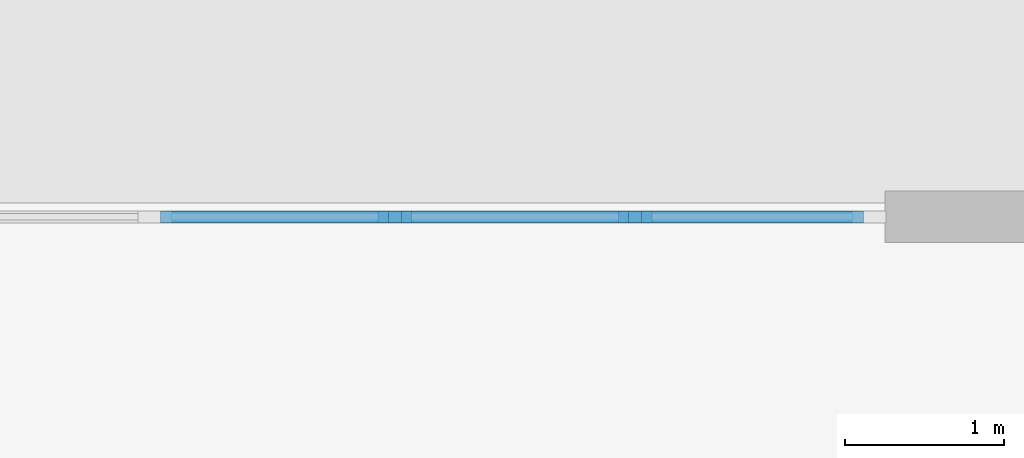
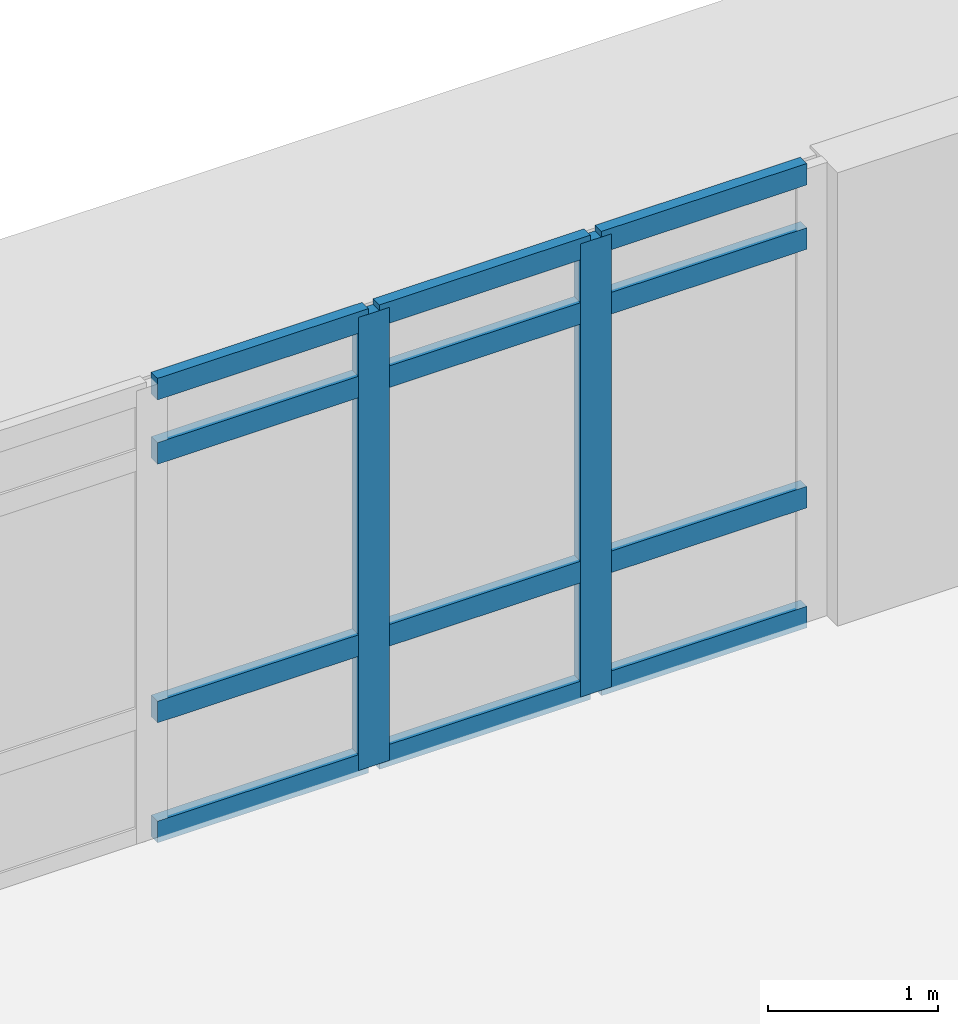
# One storey, part 14 of 55: 14 members, 1 element without a shape of its own.
"""IFC4 building model written with IfcOpenShell, lengths in metres."""

from ifc_helpers import new_model, si_unit, direction, frame, origin, origin_2d, place, context, subcontext, project, spatial, rectangle, extrude, material, layer, layer_set, material_profile, profile_set, type_object, element, aggregate, save


model = new_model("IFC4")

# Units and contexts
model_context = context("Model", 3, precision=1e-05, world=origin(), true_north=direction((0.0, 1.0)))
body_context = subcontext(model_context, "Body", "Model", "MODEL_VIEW")
ifc_project = project(units=[si_unit("LENGTHUNIT", "METRE"), si_unit("AREAUNIT", "SQUARE_METRE"), si_unit("VOLUMEUNIT", "CUBIC_METRE"), si_unit("PLANEANGLEUNIT", "RADIAN"), si_unit("MASSUNIT", "GRAM", prefix="KILO")], contexts=[model_context])

# Site, building, storey
site_placement = place(None, origin())
site = spatial("IfcSite", under=ifc_project, at=site_placement, CompositionType="ELEMENT")
building_placement = place(site_placement, origin())
building = spatial("IfcBuilding", under=site, at=building_placement, Name="Solenvale Faculty of Natural Sciences", CompositionType="ELEMENT")
storey_placement = place(building_placement, frame((0.0, 0.0, 22.5)))
storey = spatial("IfcBuildingStorey", under=building, at=storey_placement, Name="L05", CompositionType="ELEMENT", Elevation=22.5)

# Curtain wall, members
ifc_material = material(Name="Anodised bronze aluminium", Category="aluminium")
ifc_layer = layer(ifc_material, 0.18994140625)
ifc_layer_set = layer_set([ifc_layer], Name="Anodised bronze aluminium")
curtain_wall_type = type_object("IfcCurtainWallType", Name="CW-TRAY-REC", PredefinedType="USERDEFINED", material=ifc_layer_set)
curtain_wall_placement = place(storey_placement, origin())
curtain_wall = element("IfcCurtainWall", 1, at=curtain_wall_placement, inside=storey, type_object=curtain_wall_type, Name="L05 Curtain Wall CW-L05-P1-E2-B3", ObjectType="UNITISED CURTAIN WALL", PredefinedType="USERDEFINED")
ifc_material_profile_1 = material_profile(ifc_material, rectangle(XDim=0.074951171875, YDim=0.2099609375, at=origin_2d()), Name="ALU-MUL-75x210")
ifc_profile_set_1 = profile_set([ifc_material_profile_1], Name="Anodised bronze aluminium")
member_type_1 = type_object("IfcMemberType", Name="CWM-ALU-75x210", PredefinedType="MULLION", material=ifc_profile_set_1)
member_1_placement = place(storey_placement, frame((98.7099609375, 33.03759765625, 0.0), z_axis=(0.0, 0.0, 1.0), x_axis=(0.0, -1.0, 0.0)))
member_1 = element("IfcMember", 2, at=member_1_placement, type_object=member_type_1, Name="CW-02 mullion 2", PredefinedType="MULLION", context=body_context, shape_type="SweptSolid", body=[
    extrude(rectangle(XDim=0.074951171875, YDim=0.2099609375, at=origin_2d()), origin(), (0.0, 0.0, 1.0), 3.260009765625),
])
member_2_placement = place(storey_placement, frame((97.199951171875, 33.03759765625, 0.0), z_axis=(0.0, 0.0, 1.0), x_axis=(0.0, -1.0, 0.0)))
member_2 = element("IfcMember", 3, at=member_2_placement, type_object=member_type_1, Name="CW-02 mullion 3", PredefinedType="MULLION", context=body_context, shape_type="SweptSolid", body=[
    extrude(rectangle(XDim=0.074951171875, YDim=0.2099609375, at=origin_2d()), origin(), (0.0, 0.0, 1.0), 3.260009765625),
])
ifc_material_profile_2 = material_profile(ifc_material, rectangle(XDim=0.074951171875, YDim=0.155029296875, at=origin_2d()), Name="ALU-TRN-75x155")
ifc_profile_set_2 = profile_set([ifc_material_profile_2], Name="Anodised bronze aluminium")
member_type_2 = type_object("IfcMemberType", Name="CWT-ALU-75x155", PredefinedType="USERDEFINED", material=ifc_profile_set_2)
member_3_placement = place(storey_placement, frame((100.14501953125, 33.03759765625, 0.03759765625), z_axis=(-1.0, 0.0, 0.0), x_axis=(0.0, -1.0, 0.0)))
member_3 = element("IfcMember", 4, at=member_3_placement, type_object=member_type_2, Name="CW-02 transom 1.1", ObjectType="TRANSOM", PredefinedType="USERDEFINED", context=body_context, shape_type="SweptSolid", body=[
    extrude(rectangle(XDim=0.074951171875, YDim=0.155029296875, at=origin_2d()), origin(), (0.0, 0.0, 1.0), 1.3974609375),
])
member_4_placement = place(storey_placement, frame((100.14501953125, 33.03759765625, 0.89990234375), z_axis=(-1.0, 0.0, 0.0), x_axis=(0.0, -1.0, 0.0)))
member_4 = element("IfcMember", 5, at=member_4_placement, type_object=member_type_2, Name="CW-02 transom 1.2", ObjectType="TRANSOM", PredefinedType="USERDEFINED", context=body_context, shape_type="SweptSolid", body=[
    extrude(rectangle(XDim=0.074951171875, YDim=0.155029296875, at=origin_2d()), origin(), (0.0, 0.0, 1.0), 1.3974609375),
])
member_5_placement = place(storey_placement, frame((100.14501953125, 33.03759765625, 2.760009765625), z_axis=(-1.0, 0.0, 0.0), x_axis=(0.0, -1.0, 0.0)))
member_5 = element("IfcMember", 6, at=member_5_placement, type_object=member_type_2, Name="CW-02 transom 1.3", ObjectType="TRANSOM", PredefinedType="USERDEFINED", context=body_context, shape_type="SweptSolid", body=[
    extrude(rectangle(XDim=0.074951171875, YDim=0.155029296875, at=origin_2d()), origin(), (0.0, 0.0, 1.0), 1.3974609375),
])
member_6_placement = place(storey_placement, frame((100.14501953125, 33.03759765625, 3.222412109375), z_axis=(-1.0, 0.0, 0.0), x_axis=(0.0, -1.0, 0.0)))
member_6 = element("IfcMember", 7, at=member_6_placement, type_object=member_type_2, Name="CW-02 transom 1.4", ObjectType="TRANSOM", PredefinedType="USERDEFINED", context=body_context, shape_type="SweptSolid", body=[
    extrude(rectangle(XDim=0.074951171875, YDim=0.155029296875, at=origin_2d()), origin(), (0.0, 0.0, 1.0), 1.3974609375),
])
member_7_placement = place(storey_placement, frame((98.672607421875, 33.03759765625, 0.03759765625), z_axis=(-1.0, 0.0, 0.0), x_axis=(0.0, -1.0, 0.0)))
member_7 = element("IfcMember", 8, at=member_7_placement, type_object=member_type_2, Name="CW-02 transom 2.1", ObjectType="TRANSOM", PredefinedType="USERDEFINED", context=body_context, shape_type="SweptSolid", body=[
    extrude(rectangle(XDim=0.074951171875, YDim=0.155029296875, at=origin_2d()), origin(), (0.0, 0.0, 1.0), 1.43505859375),
])
member_8_placement = place(storey_placement, frame((98.672607421875, 33.03759765625, 0.89990234375), z_axis=(-1.0, 0.0, 0.0), x_axis=(0.0, -1.0, 0.0)))
member_8 = element("IfcMember", 9, at=member_8_placement, type_object=member_type_2, Name="CW-02 transom 2.2", ObjectType="TRANSOM", PredefinedType="USERDEFINED", context=body_context, shape_type="SweptSolid", body=[
    extrude(rectangle(XDim=0.074951171875, YDim=0.155029296875, at=origin_2d()), origin(), (0.0, 0.0, 1.0), 1.43505859375),
])
member_9_placement = place(storey_placement, frame((98.672607421875, 33.03759765625, 2.760009765625), z_axis=(-1.0, 0.0, 0.0), x_axis=(0.0, -1.0, 0.0)))
member_9 = element("IfcMember", 10, at=member_9_placement, type_object=member_type_2, Name="CW-02 transom 2.3", ObjectType="TRANSOM", PredefinedType="USERDEFINED", context=body_context, shape_type="SweptSolid", body=[
    extrude(rectangle(XDim=0.074951171875, YDim=0.155029296875, at=origin_2d()), origin(), (0.0, 0.0, 1.0), 1.43505859375),
])
member_10_placement = place(storey_placement, frame((98.672607421875, 33.03759765625, 3.222412109375), z_axis=(-1.0, 0.0, 0.0), x_axis=(0.0, -1.0, 0.0)))
member_10 = element("IfcMember", 11, at=member_10_placement, type_object=member_type_2, Name="CW-02 transom 2.4", ObjectType="TRANSOM", PredefinedType="USERDEFINED", context=body_context, shape_type="SweptSolid", body=[
    extrude(rectangle(XDim=0.074951171875, YDim=0.155029296875, at=origin_2d()), origin(), (0.0, 0.0, 1.0), 1.43505859375),
])
member_11_placement = place(storey_placement, frame((97.16259765625, 33.03759765625, 0.03759765625), z_axis=(-1.0, 0.0, 0.0), x_axis=(0.0, -1.0, 0.0)))
member_11 = element("IfcMember", 12, at=member_11_placement, type_object=member_type_2, Name="CW-02 transom 3.1", ObjectType="TRANSOM", PredefinedType="USERDEFINED", context=body_context, shape_type="SweptSolid", body=[
    extrude(rectangle(XDim=0.074951171875, YDim=0.155029296875, at=origin_2d()), origin(), (0.0, 0.0, 1.0), 1.43505859375),
])
member_12_placement = place(storey_placement, frame((97.16259765625, 33.03759765625, 0.89990234375), z_axis=(-1.0, 0.0, 0.0), x_axis=(0.0, -1.0, 0.0)))
member_12 = element("IfcMember", 13, at=member_12_placement, type_object=member_type_2, Name="CW-02 transom 3.2", ObjectType="TRANSOM", PredefinedType="USERDEFINED", context=body_context, shape_type="SweptSolid", body=[
    extrude(rectangle(XDim=0.074951171875, YDim=0.155029296875, at=origin_2d()), origin(), (0.0, 0.0, 1.0), 1.43505859375),
])
member_13_placement = place(storey_placement, frame((97.16259765625, 33.03759765625, 2.760009765625), z_axis=(-1.0, 0.0, 0.0), x_axis=(0.0, -1.0, 0.0)))
member_13 = element("IfcMember", 14, at=member_13_placement, type_object=member_type_2, Name="CW-02 transom 3.3", ObjectType="TRANSOM", PredefinedType="USERDEFINED", context=body_context, shape_type="SweptSolid", body=[
    extrude(rectangle(XDim=0.074951171875, YDim=0.155029296875, at=origin_2d()), origin(), (0.0, 0.0, 1.0), 1.43505859375),
])
member_14_placement = place(storey_placement, frame((97.16259765625, 33.03759765625, 3.222412109375), z_axis=(-1.0, 0.0, 0.0), x_axis=(0.0, -1.0, 0.0)))
member_14 = element("IfcMember", 15, at=member_14_placement, type_object=member_type_2, Name="CW-02 transom 3.4", ObjectType="TRANSOM", PredefinedType="USERDEFINED", context=body_context, shape_type="SweptSolid", body=[
    extrude(rectangle(XDim=0.074951171875, YDim=0.155029296875, at=origin_2d()), origin(), (0.0, 0.0, 1.0), 1.43505859375),
])
aggregate(curtain_wall, [member_1, member_2, member_3, member_4, member_5, member_6, member_7, member_8, member_9, member_10, member_11, member_12, member_13, member_14])

save(model, "model.ifc")
